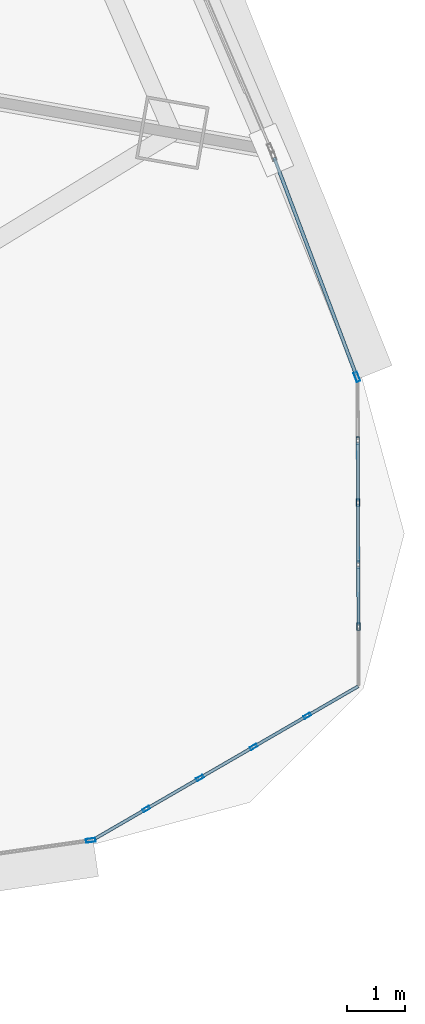
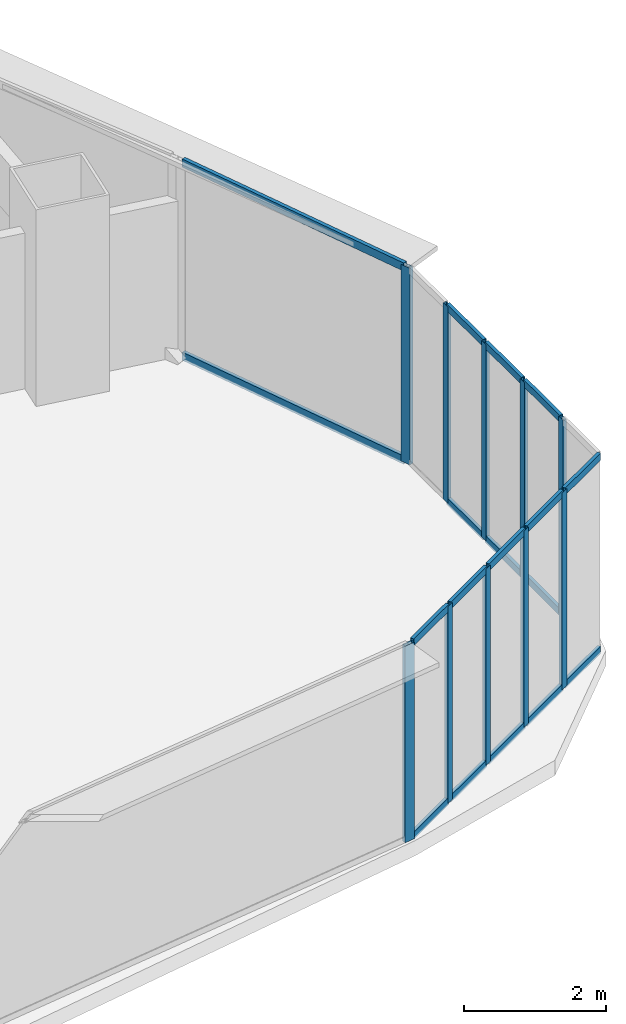
# One storey, part 22 of 42: 28 members, 4 elements without a shape of their own.
"""IFC4 building model written with IfcOpenShell, lengths in metres."""

from ifc_helpers import new_model, si_unit, direction, frame, origin, origin_2d, place, context, subcontext, project, spatial, hollow_rectangle, extrude, source, transform, mapped, material, layer, layer_set, material_profile, profile_set, type_object, element, aggregate, save


model = new_model("IFC4")

# Units and contexts
model_context = context("Model", 3, precision=1e-05, world=origin(), true_north=direction((0.0, 1.0)))
body_context = subcontext(model_context, "Body", "Model", "MODEL_VIEW")
ifc_project = project(units=[si_unit("LENGTHUNIT", "METRE"), si_unit("AREAUNIT", "SQUARE_METRE"), si_unit("VOLUMEUNIT", "CUBIC_METRE"), si_unit("PLANEANGLEUNIT", "RADIAN"), si_unit("MASSUNIT", "GRAM", prefix="KILO"), si_unit("THERMODYNAMICTEMPERATUREUNIT", "KELVIN"), si_unit("POWERUNIT", "WATT")], contexts=[model_context])

# Site, building, storey
site_placement = place(None, origin())
site = spatial("IfcSite", under=ifc_project, at=site_placement, CompositionType="ELEMENT")
building_placement = place(site_placement, origin())
building = spatial("IfcBuilding", under=site, at=building_placement, Name="Yunzhuo Pagoda Commons", CompositionType="ELEMENT")
storey_placement = place(building_placement, frame((0.0, 0.0, 48.550048828125)))
storey = spatial("IfcBuildingStorey", under=building, at=storey_placement, Name="L12", CompositionType="ELEMENT", Elevation=48.550048828125)

# Curtain wall, member
ifc_material = material(Name="Anodized aluminium 6063-T6", Category="aluminium")
ifc_layer_1 = layer(ifc_material, 0.1650390625)
ifc_layer_set_1 = layer_set([ifc_layer_1], Name="Anodized aluminium 6063-T6")
curtain_wall_type_1 = type_object("IfcCurtainWallType", Name="CW-LOW Low-Zone Ribbon Curtain Wall", PredefinedType="NOTDEFINED", material=ifc_layer_set_1)
curtain_wall_1_placement = place(storey_placement, origin())
curtain_wall_1 = element("IfcCurtainWall", 1, at=curtain_wall_1_placement, inside=storey, type_object=curtain_wall_type_1, Name="L12 curtain wall CW-L12-F1B5", PredefinedType="NOTDEFINED")
ifc_material_profile_1 = material_profile(ifc_material, hollow_rectangle(XDim=0.06494140625, YDim=0.1650390625, WallThickness=0.00390625, at=origin_2d()), Name="Anodized aluminium 6063-T6")
ifc_profile_set_1 = profile_set([ifc_material_profile_1], Name="Anodized aluminium 6063-T6")
member_type_1 = type_object("IfcMemberType", Name="CW-LOW-M Mullion RHS 165x65x4", PredefinedType="MULLION", material=ifc_profile_set_1)
shared_shape_1 = source(origin(), body_context, "Body", "SweptSolid", [
    extrude(hollow_rectangle(XDim=0.06494140625, YDim=0.1650390625, WallThickness=0.00390625, at=origin_2d()), origin(), (0.0, 0.0, 1.0), 3.369873046875),
])
member_1_placement = place(storey_placement, frame((86.635986328125, 14.39697265625, 0.0), z_axis=(0.0, 0.0, 1.0), x_axis=(-0.141492753346, 0.989939291447, 0.0)))
member_1 = element("IfcMember", 2, at=member_1_placement, type_object=member_type_1, Name="CW mullion 2", PredefinedType="MULLION", context=body_context, shape_type="MappedRepresentation", body=[
    mapped(shared_shape_1, transform((0.0, 0.0, 0.0), scale=1.0)),
])
aggregate(curtain_wall_1, [member_1])

# Curtain wall, members
curtain_wall_2_placement = place(storey_placement, origin())
curtain_wall_2 = element("IfcCurtainWall", 3, at=curtain_wall_2_placement, inside=storey, type_object=curtain_wall_type_1, Name="L12 curtain wall CW-L12-F2B1", PredefinedType="NOTDEFINED")
member_2_placement = place(storey_placement, frame((91.239990234375, 22.41455078125, 0.0), z_axis=(0.0, 0.0, 1.0), x_axis=(-0.935566420146, -0.353150780113, 0.0)))
member_2 = element("IfcMember", 4, at=member_2_placement, type_object=member_type_1, Name="CW mullion 1", PredefinedType="MULLION", context=body_context, shape_type="MappedRepresentation", body=[
    mapped(shared_shape_1, transform((0.0, 0.0, 0.0), scale=1.0)),
])
ifc_material_profile_2 = material_profile(ifc_material, hollow_rectangle(XDim=0.06005859375, YDim=0.139892578125, WallThickness=0.00341796875, at=origin_2d()), Name="Anodized aluminium 6063-T6")
ifc_profile_set_2 = profile_set([ifc_material_profile_2], Name="Anodized aluminium 6063-T6")
member_type_2 = type_object("IfcMemberType", Name="CW-LOW-T Transom RHS 140x60x3.5", PredefinedType="USERDEFINED", material=ifc_profile_set_2)
shared_shape_2 = source(origin(), body_context, "Body", "SweptSolid", [
    extrude(hollow_rectangle(XDim=0.06005859375, YDim=0.139892578125, WallThickness=0.00341796875, at=origin_2d()), origin(), (0.0, 0.0, 1.0), 4.019775390625),
])
member_3_placement = place(storey_placement, frame((91.228515625, 22.44482421875, 0.030029296875), z_axis=(-0.353172606042, 0.935558181163, 0.0), x_axis=(-0.935558181163, -0.353172606042, 0.0)))
member_3 = element("IfcMember", 5, at=member_3_placement, type_object=member_type_2, Name="CW transom 1.1", ObjectType="TRANSOM", PredefinedType="USERDEFINED", context=body_context, shape_type="MappedRepresentation", body=[
    mapped(shared_shape_2, transform((0.0, 0.0, 0.0), scale=1.0)),
])
member_4_placement = place(storey_placement, frame((91.228515625, 22.44482421875, 3.33984375), z_axis=(-0.353172606042, 0.935558181163, 0.0), x_axis=(-0.935558181163, -0.353172606042, 0.0)))
member_4 = element("IfcMember", 6, at=member_4_placement, type_object=member_type_2, Name="CW transom 1.2", ObjectType="TRANSOM", PredefinedType="USERDEFINED", context=body_context, shape_type="MappedRepresentation", body=[
    mapped(shared_shape_2, transform((0.0, 0.0, 0.0), scale=1.0)),
])
aggregate(curtain_wall_2, [member_2, member_3, member_4])

ifc_layer_2 = layer(ifc_material, 0.1298828125)
ifc_layer_set_2 = layer_set([ifc_layer_2], Name="Anodized aluminium 6063-T6")
curtain_wall_type_2 = type_object("IfcCurtainWallType", Name="CW-VTX Rounded Corner Curtain Wall", PredefinedType="NOTDEFINED", material=ifc_layer_set_2)
curtain_wall_3_placement = place(storey_placement, origin())
curtain_wall_3 = element("IfcCurtainWall", 7, at=curtain_wall_3_placement, inside=storey, type_object=curtain_wall_type_2, Name="L12 curtain wall CW-L12-VTX2S1", PredefinedType="NOTDEFINED")
ifc_material_profile_3 = material_profile(ifc_material, hollow_rectangle(XDim=0.054931640625, YDim=0.1298828125, WallThickness=0.00341796875, at=origin_2d()), Name="Anodized aluminium 6063-T6")
ifc_profile_set_3 = profile_set([ifc_material_profile_3], Name="Anodized aluminium 6063-T6")
member_type_3 = type_object("IfcMemberType", Name="CW-VTX-M Mullion RHS 130x55x3.5", PredefinedType="MULLION", material=ifc_profile_set_3)
shared_shape_3 = source(origin(), body_context, "Body", "SweptSolid", [
    extrude(hollow_rectangle(XDim=0.054931640625, YDim=0.1298828125, WallThickness=0.00341796875, at=origin_2d()), origin(), (0.0, 0.0, 1.0), 3.369873046875),
])
member_5_placement = place(storey_placement, frame((87.5966796875, 14.93896484375, 0.0), z_axis=(0.0, 0.0, 1.0), x_axis=(-0.501041414295, 0.865423307498, 0.0)))
member_5 = element("IfcMember", 8, at=member_5_placement, type_object=member_type_3, Name="CW mullion 2", PredefinedType="MULLION", context=body_context, shape_type="MappedRepresentation", body=[
    mapped(shared_shape_3, transform((0.0, 0.0, 0.0), scale=1.0)),
])
member_6_placement = place(storey_placement, frame((88.525390625, 15.476318359375, 0.0), z_axis=(0.0, 0.0, 1.0), x_axis=(-0.501041414295, 0.865423307498, 0.0)))
member_6 = element("IfcMember", 9, at=member_6_placement, type_object=member_type_3, Name="CW mullion 3", PredefinedType="MULLION", context=body_context, shape_type="MappedRepresentation", body=[
    mapped(shared_shape_3, transform((0.0, 0.0, 0.0), scale=1.0)),
])
member_7_placement = place(storey_placement, frame((89.45361328125, 16.013916015625, 0.0), z_axis=(0.0, 0.0, 1.0), x_axis=(-0.501041414295, 0.865423307498, 0.0)))
member_7 = element("IfcMember", 10, at=member_7_placement, type_object=member_type_3, Name="CW mullion 4", PredefinedType="MULLION", context=body_context, shape_type="MappedRepresentation", body=[
    mapped(shared_shape_3, transform((0.0, 0.0, 0.0), scale=1.0)),
])
member_8_placement = place(storey_placement, frame((90.382080078125, 16.551513671875, 0.0), z_axis=(0.0, 0.0, 1.0), x_axis=(-0.501041414295, 0.865423307498, 0.0)))
member_8 = element("IfcMember", 11, at=member_8_placement, type_object=member_type_3, Name="CW mullion 5", PredefinedType="MULLION", context=body_context, shape_type="MappedRepresentation", body=[
    mapped(shared_shape_3, transform((0.0, 0.0, 0.0), scale=1.0)),
])

curtain_wall_4_placement = place(storey_placement, origin())
curtain_wall_4 = element("IfcCurtainWall", 12, at=curtain_wall_4_placement, inside=storey, type_object=curtain_wall_type_2, Name="L12 curtain wall CW-L12-VTX2S2", PredefinedType="NOTDEFINED")
member_9_placement = place(storey_placement, frame((91.266845703125, 18.092529296875, 0.0), z_axis=(0.0, 0.0, 1.0), x_axis=(-0.999993595138, -0.003579061808, 0.0)))
member_9 = element("IfcMember", 13, at=member_9_placement, type_object=member_type_3, Name="CW mullion 2", PredefinedType="MULLION", context=body_context, shape_type="MappedRepresentation", body=[
    mapped(shared_shape_3, transform((0.0, 0.0, 0.0), scale=1.0)),
])
member_10_placement = place(storey_placement, frame((91.26318359375, 19.165283203125, 0.0), z_axis=(0.0, 0.0, 1.0), x_axis=(-0.999993595138, -0.003579061808, 0.0)))
member_10 = element("IfcMember", 14, at=member_10_placement, type_object=member_type_3, Name="CW mullion 3", PredefinedType="MULLION", context=body_context, shape_type="MappedRepresentation", body=[
    mapped(shared_shape_3, transform((0.0, 0.0, 0.0), scale=1.0)),
])
member_11_placement = place(storey_placement, frame((91.25927734375, 20.23828125, 0.0), z_axis=(0.0, 0.0, 1.0), x_axis=(-0.999993595138, -0.003579061808, 0.0)))
member_11 = element("IfcMember", 15, at=member_11_placement, type_object=member_type_3, Name="CW mullion 4", PredefinedType="MULLION", context=body_context, shape_type="MappedRepresentation", body=[
    mapped(shared_shape_3, transform((0.0, 0.0, 0.0), scale=1.0)),
])
member_12_placement = place(storey_placement, frame((91.25537109375, 21.311279296875, 0.0), z_axis=(0.0, 0.0, 1.0), x_axis=(-0.999993595138, -0.003579061808, 0.0)))
member_12 = element("IfcMember", 16, at=member_12_placement, type_object=member_type_3, Name="CW mullion 5", PredefinedType="MULLION", context=body_context, shape_type="MappedRepresentation", body=[
    mapped(shared_shape_3, transform((0.0, 0.0, 0.0), scale=1.0)),
])

# Member
ifc_material_profile_4 = material_profile(ifc_material, hollow_rectangle(XDim=0.054931640625, YDim=0.1201171875, WallThickness=0.00341796875, at=origin_2d()), Name="Anodized aluminium 6063-T6")
ifc_profile_set_4 = profile_set([ifc_material_profile_4], Name="Anodized aluminium 6063-T6")
member_type_4 = type_object("IfcMemberType", Name="CW-VTX-T Transom RHS 120x55x3.5", PredefinedType="USERDEFINED", material=ifc_profile_set_4)
shared_shape_4 = source(origin(), body_context, "Body", "SweptSolid", [
    extrude(hollow_rectangle(XDim=0.054931640625, YDim=0.1201171875, WallThickness=0.00341796875, at=origin_2d()), origin(), (0.0, 0.0, 1.0), 0.990478515625),
])
member_13_placement = place(storey_placement, frame((90.406005859375, 16.5654296875, 0.02734375), z_axis=(0.865499411208, 0.500909941206, 0.0), x_axis=(-0.500909941206, 0.865499411208, 0.0)))
member_13 = element("IfcMember", 17, at=member_13_placement, type_object=member_type_4, Name="CW transom 5.1", ObjectType="TRANSOM", PredefinedType="USERDEFINED", context=body_context, shape_type="MappedRepresentation", body=[
    mapped(shared_shape_4, transform((0.0, 0.0, 0.0), scale=1.0)),
])

member_14_placement = place(storey_placement, frame((90.406005859375, 16.5654296875, 3.342529296875), z_axis=(0.865499411208, 0.500909941206, 0.0), x_axis=(-0.500909941206, 0.865499411208, 0.0)))
member_14 = element("IfcMember", 18, at=member_14_placement, type_object=member_type_4, Name="CW transom 5.2", ObjectType="TRANSOM", PredefinedType="USERDEFINED", context=body_context, shape_type="MappedRepresentation", body=[
    mapped(shared_shape_4, transform((0.0, 0.0, 0.0), scale=1.0)),
])

shared_shape_5 = source(origin(), body_context, "Body", "SweptSolid", [
    extrude(hollow_rectangle(XDim=0.054931640625, YDim=0.1201171875, WallThickness=0.00341796875, at=origin_2d()), origin(), (0.0, 0.0, 1.0), 1.017822265625),
])
member_15_placement = place(storey_placement, frame((91.26318359375, 19.19287109375, 0.02734375), z_axis=(-0.00383782254, 0.999992635532, 0.0), x_axis=(-0.999992635532, -0.00383782254, 0.0)))
member_15 = element("IfcMember", 19, at=member_15_placement, type_object=member_type_4, Name="CW transom 3.1", ObjectType="TRANSOM", PredefinedType="USERDEFINED", context=body_context, shape_type="MappedRepresentation", body=[
    mapped(shared_shape_5, transform((0.0, 0.0, 0.0), scale=1.0)),
])

member_16_placement = place(storey_placement, frame((91.26318359375, 19.19287109375, 3.342529296875), z_axis=(-0.00383782254, 0.999992635532, 0.0), x_axis=(-0.999992635532, -0.00383782254, 0.0)))
member_16 = element("IfcMember", 20, at=member_16_placement, type_object=member_type_4, Name="CW transom 3.2", ObjectType="TRANSOM", PredefinedType="USERDEFINED", context=body_context, shape_type="MappedRepresentation", body=[
    mapped(shared_shape_5, transform((0.0, 0.0, 0.0), scale=1.0)),
])

member_17_placement = place(storey_placement, frame((91.259033203125, 20.265869140625, 0.02734375), z_axis=(-0.00359796184, 0.999993527314, 0.0), x_axis=(-0.999993527314, -0.00359796184, 0.0)))
member_17 = element("IfcMember", 21, at=member_17_placement, type_object=member_type_4, Name="CW transom 4.1", ObjectType="TRANSOM", PredefinedType="USERDEFINED", context=body_context, shape_type="MappedRepresentation", body=[
    mapped(shared_shape_5, transform((0.0, 0.0, 0.0), scale=1.0)),
])

member_18_placement = place(storey_placement, frame((91.259033203125, 20.265869140625, 3.342529296875), z_axis=(-0.00359796184, 0.999993527314, 0.0), x_axis=(-0.999993527314, -0.00359796184, 0.0)))
member_18 = element("IfcMember", 22, at=member_18_placement, type_object=member_type_4, Name="CW transom 4.2", ObjectType="TRANSOM", PredefinedType="USERDEFINED", context=body_context, shape_type="MappedRepresentation", body=[
    mapped(shared_shape_5, transform((0.0, 0.0, 0.0), scale=1.0)),
])

shared_shape_6 = source(origin(), body_context, "Body", "SweptSolid", [
    extrude(hollow_rectangle(XDim=0.054931640625, YDim=0.1201171875, WallThickness=0.00341796875, at=origin_2d()), origin(), (0.0, 0.0, 1.0), 1.01806640625),
])
member_19_placement = place(storey_placement, frame((87.620361328125, 14.95263671875, 0.02734375), z_axis=(0.865305848027, 0.501244241235, 0.0), x_axis=(-0.501244241235, 0.865305848027, 0.0)))
member_19 = element("IfcMember", 23, at=member_19_placement, type_object=member_type_4, Name="CW transom 2.1", ObjectType="TRANSOM", PredefinedType="USERDEFINED", context=body_context, shape_type="MappedRepresentation", body=[
    mapped(shared_shape_6, transform((0.0, 0.0, 0.0), scale=1.0)),
])

member_20_placement = place(storey_placement, frame((87.620361328125, 14.95263671875, 3.342529296875), z_axis=(0.865305848027, 0.501244241235, 0.0), x_axis=(-0.501244241235, 0.865305848027, 0.0)))
member_20 = element("IfcMember", 24, at=member_20_placement, type_object=member_type_4, Name="CW transom 2.2", ObjectType="TRANSOM", PredefinedType="USERDEFINED", context=body_context, shape_type="MappedRepresentation", body=[
    mapped(shared_shape_6, transform((0.0, 0.0, 0.0), scale=1.0)),
])

member_21_placement = place(storey_placement, frame((88.548828125, 15.490234375, 0.02734375), z_axis=(0.865470064702, 0.500960644268, 0.0), x_axis=(-0.500960644268, 0.865470064702, 0.0)))
member_21 = element("IfcMember", 25, at=member_21_placement, type_object=member_type_4, Name="CW transom 3.1", ObjectType="TRANSOM", PredefinedType="USERDEFINED", context=body_context, shape_type="MappedRepresentation", body=[
    mapped(shared_shape_6, transform((0.0, 0.0, 0.0), scale=1.0)),
])

member_22_placement = place(storey_placement, frame((88.548828125, 15.490234375, 3.342529296875), z_axis=(0.865470064702, 0.500960644268, 0.0), x_axis=(-0.500960644268, 0.865470064702, 0.0)))
member_22 = element("IfcMember", 26, at=member_22_placement, type_object=member_type_4, Name="CW transom 3.2", ObjectType="TRANSOM", PredefinedType="USERDEFINED", context=body_context, shape_type="MappedRepresentation", body=[
    mapped(shared_shape_6, transform((0.0, 0.0, 0.0), scale=1.0)),
])

member_23_placement = place(storey_placement, frame((89.477294921875, 16.02783203125, 0.02734375), z_axis=(0.865470064702, 0.500960644268, 0.0), x_axis=(-0.500960644268, 0.865470064702, 0.0)))
member_23 = element("IfcMember", 27, at=member_23_placement, type_object=member_type_4, Name="CW transom 4.1", ObjectType="TRANSOM", PredefinedType="USERDEFINED", context=body_context, shape_type="MappedRepresentation", body=[
    mapped(shared_shape_6, transform((0.0, 0.0, 0.0), scale=1.0)),
])

member_24_placement = place(storey_placement, frame((89.477294921875, 16.02783203125, 3.342529296875), z_axis=(0.865470064702, 0.500960644268, 0.0), x_axis=(-0.500960644268, 0.865470064702, 0.0)))
member_24 = element("IfcMember", 28, at=member_24_placement, type_object=member_type_4, Name="CW transom 4.2", ObjectType="TRANSOM", PredefinedType="USERDEFINED", context=body_context, shape_type="MappedRepresentation", body=[
    mapped(shared_shape_6, transform((0.0, 0.0, 0.0), scale=1.0)),
])

member_25_placement = place(storey_placement, frame((91.266845703125, 18.1201171875, 0.02734375), z_axis=(-0.00359709903, 0.999993530418, 0.0), x_axis=(-0.999993530418, -0.00359709903, 0.0)))
member_25 = element("IfcMember", 29, at=member_25_placement, type_object=member_type_4, Name="CW transom 2.1", ObjectType="TRANSOM", PredefinedType="USERDEFINED", context=body_context, shape_type="MappedRepresentation", body=[
    mapped(shared_shape_6, transform((0.0, 0.0, 0.0), scale=1.0)),
])

member_26_placement = place(storey_placement, frame((91.266845703125, 18.1201171875, 3.342529296875), z_axis=(-0.00359709903, 0.999993530418, 0.0), x_axis=(-0.999993530418, -0.00359709903, 0.0)))
member_26 = element("IfcMember", 30, at=member_26_placement, type_object=member_type_4, Name="CW transom 2.2", ObjectType="TRANSOM", PredefinedType="USERDEFINED", context=body_context, shape_type="MappedRepresentation", body=[
    mapped(shared_shape_6, transform((0.0, 0.0, 0.0), scale=1.0)),
])

aggregate(curtain_wall_4, [member_9, member_10, member_11, member_12, member_25, member_26, member_15, member_16, member_17, member_18])

shared_shape_7 = source(origin(), body_context, "Body", "SweptSolid", [
    extrude(hollow_rectangle(XDim=0.054931640625, YDim=0.1201171875, WallThickness=0.00341796875, at=origin_2d()), origin(), (0.0, 0.0, 1.0), 0.990234375),
])
member_27_placement = place(storey_placement, frame((86.7158203125, 14.428955078125, 0.02734375), z_axis=(0.865437539194, 0.501016831807, 0.0), x_axis=(-0.501016831807, 0.865437539194, 0.0)))
member_27 = element("IfcMember", 31, at=member_27_placement, type_object=member_type_4, Name="CW transom 1.1", ObjectType="TRANSOM", PredefinedType="USERDEFINED", context=body_context, shape_type="MappedRepresentation", body=[
    mapped(shared_shape_7, transform((0.0, 0.0, 0.0), scale=1.0)),
])

member_28_placement = place(storey_placement, frame((86.7158203125, 14.428955078125, 3.342529296875), z_axis=(0.865437539194, 0.501016831807, 0.0), x_axis=(-0.501016831807, 0.865437539194, 0.0)))
member_28 = element("IfcMember", 32, at=member_28_placement, type_object=member_type_4, Name="CW transom 1.2", ObjectType="TRANSOM", PredefinedType="USERDEFINED", context=body_context, shape_type="MappedRepresentation", body=[
    mapped(shared_shape_7, transform((0.0, 0.0, 0.0), scale=1.0)),
])

aggregate(curtain_wall_3, [member_5, member_6, member_7, member_8, member_27, member_28, member_19, member_20, member_21, member_22, member_23, member_24, member_13, member_14])

save(model, "model.ifc")
